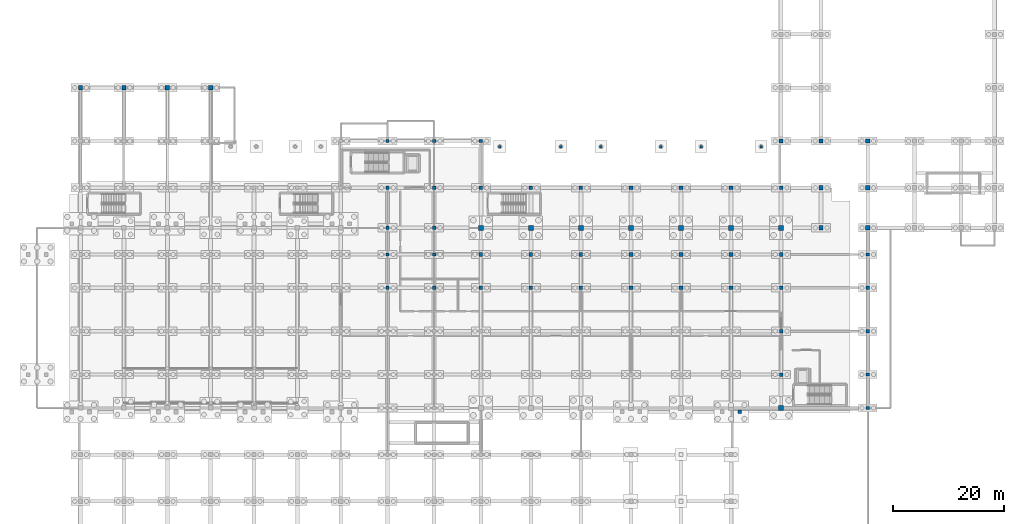
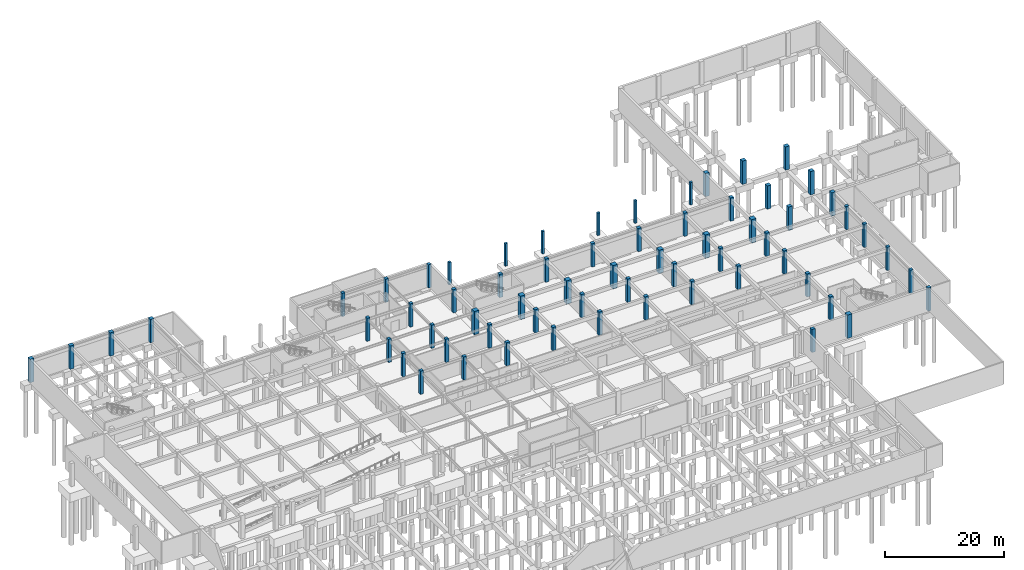
# One storey, part 11 of 26: 65 columns.
"""IFC4 building model written with IfcOpenShell, lengths in metres."""

from ifc_helpers import new_model, si_unit, direction, frame, origin, origin_2d, place, context, subcontext, project, spatial, rectangle, extrude, material, material_profile, profile_set, type_object, element, save


model = new_model("IFC4")

# Units and contexts
model_context = context("Model", 3, precision=1e-05, world=origin(), true_north=direction((0.0, 1.0)))
body_context = subcontext(model_context, "Body", "Model", "MODEL_VIEW")
ifc_project = project(units=[si_unit("LENGTHUNIT", "METRE"), si_unit("AREAUNIT", "SQUARE_METRE"), si_unit("VOLUMEUNIT", "CUBIC_METRE"), si_unit("PLANEANGLEUNIT", "RADIAN"), si_unit("MASSUNIT", "GRAM", prefix="KILO")], contexts=[model_context])

# Site, building, storey
site_placement = place(None, origin())
site = spatial("IfcSite", under=ifc_project, at=site_placement, CompositionType="ELEMENT")
building_placement = place(site_placement, origin())
building = spatial("IfcBuilding", under=site, at=building_placement, Name="Tizgana Railside Sports Hall", CompositionType="ELEMENT")
storey_placement = place(building_placement, frame((0.0, 0.0, -4.800048828125)))
storey = spatial("IfcBuildingStorey", under=building, at=storey_placement, Name="B1", CompositionType="ELEMENT", Elevation=-4.800048828125)

# Columns
ifc_material_1 = material(Name="Concrete C35/45", Category="concrete")
ifc_material_profile_1 = material_profile(ifc_material_1, rectangle(XDim=0.449951171875, YDim=0.449951171875, at=origin_2d()), Name="RC 450x450")
ifc_profile_set_1 = profile_set([ifc_material_profile_1], Name="Concrete C35/45")
column_type_1 = type_object("IfcColumnType", Name="Concrete Column RC 450x450", PredefinedType="COLUMN", material=ifc_profile_set_1)
for number, where, z_axis, x_axis, name in (
    (1, (83.199951171875, 87.800048828125, 0.0), (0.0, 0.0, 1.0), (1.0, 0.0, 0.0), "B1 COL-0931"),
    (2, (94.199951171875, 87.800048828125, 0.0), (0.0, 0.0, 1.0), (1.0, 0.0, 0.0), "B1 COL-0932"),
    (3, (101.39990234375, 87.800048828125, 0.0), (0.0, 0.0, 1.0), (1.0, 0.0, 0.0), "B1 COL-0933"),
    (4, (112.199951171875, 87.800048828125, 0.0), (0.0, 0.0, 1.0), (1.0, 0.0, 0.0), "B1 COL-0934"),
    (5, (119.39990234375, 87.800048828125, 0.0), (0.0, 0.0, 1.0), (1.0, 0.0, 0.0), "B1 COL-0935"),
    (6, (130.199951171875, 87.800048828125, 0.0), (0.0, 0.0, 1.0), (1.0, 0.0, 0.0), "B1 COL-0936"),
):
    element("IfcColumn", number, at=place(storey_placement, frame(where, z_axis=z_axis, x_axis=x_axis)), inside=storey, type_object=column_type_1, Name=name, PredefinedType="COLUMN", context=body_context, shape_type="SweptSolid", body=[
        extrude(rectangle(XDim=0.449951171875, YDim=0.449951171875, at=origin_2d()), origin(), (0.0, 0.0, 1.0), 4.630126953125),
    ])
ifc_material_2 = material(Name="Concrete C40/50", Category="concrete")
ifc_material_profile_2 = material_profile(ifc_material_2, rectangle(XDim=0.60009765625, YDim=0.60009765625, at=origin_2d()), Name="RC 600x600")
ifc_profile_set_2 = profile_set([ifc_material_profile_2], Name="Concrete C40/50")
column_type_2 = type_object("IfcColumnType", Name="Concrete Column RC 600x600", PredefinedType="COLUMN", material=ifc_profile_set_2)
for number, where, z_axis, x_axis, name in (
    (7, (63.0, 62.39990234375, 0.0), (0.0, 0.0, 1.0), (1.0, 0.0, 0.0), "B1 COL-0202"),
    (8, (63.0, 68.39990234375, 0.0), (0.0, 0.0, 1.0), (1.0, 0.0, 0.0), "B1 COL-0205"),
    (9, (63.0, 73.199951171875, 0.0), (0.0, 0.0, 1.0), (1.0, 0.0, 0.0), "B1 COL-0208"),
    (10, (63.0, 80.39990234375, 0.0), (0.0, 0.0, 1.0), (1.0, 0.0, 0.0), "B1 COL-0211"),
    (11, (63.0, 88.800048828125, 0.0), (0.0, 0.0, 1.0), (1.0, 0.0, 0.0), "B1 COL-0214"),
    (12, (71.39990234375, 62.39990234375, 0.0), (0.0, 0.0, 1.0), (1.0, 0.0, 0.0), "B1 COL-0229"),
    (13, (71.39990234375, 68.39990234375, 0.0), (0.0, 0.0, 1.0), (1.0, 0.0, 0.0), "B1 COL-0232"),
    (14, (71.39990234375, 73.199951171875, 0.0), (0.0, 0.0, 1.0), (1.0, 0.0, 0.0), "B1 COL-0235"),
    (15, (71.39990234375, 80.39990234375, 0.0), (0.0, 0.0, 1.0), (1.0, 0.0, 0.0), "B1 COL-0238"),
    (16, (71.39990234375, 88.800048828125, 0.0), (0.0, 0.0, 1.0), (1.0, 0.0, 0.0), "B1 COL-0241"),
    (17, (79.800048828125, 88.800048828125, 0.0), (0.0, 0.0, 1.0), (1.0, 0.0, 0.0), "B1 COL-0247"),
    (18, (149.39990234375, 40.800048828125, 0.0), (0.0, 0.0, 1.0), (1.0, 0.0, 0.0), "B1 COL-0906"),
    (19, (149.39990234375, 46.800048828125, 0.0), (0.0, 0.0, 1.0), (1.0, 0.0, 0.0), "B1 COL-0909"),
    (20, (149.39990234375, 54.60009765625, 0.0), (0.0, 0.0, 1.0), (1.0, 0.0, 0.0), "B1 COL-0912"),
    (21, (149.39990234375, 62.39990234375, 0.0), (0.0, 0.0, 1.0), (1.0, 0.0, 0.0), "B1 COL-0915"),
    (22, (149.39990234375, 68.39990234375, 0.0), (0.0, 0.0, 1.0), (1.0, 0.0, 0.0), "B1 COL-0918"),
):
    element("IfcColumn", number, at=place(storey_placement, frame(where, z_axis=z_axis, x_axis=x_axis)), inside=storey, type_object=column_type_2, Name=name, PredefinedType="COLUMN", context=body_context, shape_type="SweptSolid", body=[
        extrude(rectangle(XDim=0.60009765625, YDim=0.60009765625, at=origin_2d()), origin(), (0.0, 0.0, 1.0), 4.800048828125),
    ])
ifc_material_profile_3 = material_profile(ifc_material_2, rectangle(XDim=0.64990234375, YDim=0.64990234375, at=origin_2d()), Name="RC 650x650")
ifc_profile_set_3 = profile_set([ifc_material_profile_3], Name="Concrete C40/50")
column_type_3 = type_object("IfcColumnType", Name="Concrete Column RC 650x650", PredefinedType="COLUMN", material=ifc_profile_set_3)
for number, where, z_axis, x_axis, name in (
    (23, (79.800048828125, 62.39990234375, 0.0), (0.0, 0.0, 1.0), (1.0, 0.0, 0.0), "B1 COL-0262"),
    (24, (79.800048828125, 68.39990234375, 0.0), (0.0, 0.0, 1.0), (1.0, 0.0, 0.0), "B1 COL-0265"),
    (25, (79.800048828125, 80.39990234375, 0.0), (0.0, 0.0, 1.0), (1.0, 0.0, 0.0), "B1 COL-0274"),
    (26, (88.800048828125, 62.39990234375, 0.0), (0.0, 0.0, 1.0), (1.0, 0.0, 0.0), "B1 COL-0287"),
    (27, (88.800048828125, 68.39990234375, 0.0), (0.0, 0.0, 1.0), (1.0, 0.0, 0.0), "B1 COL-0288"),
    (28, (88.800048828125, 80.39990234375, 0.0), (0.0, 0.0, 1.0), (1.0, 0.0, 0.0), "B1 COL-0295"),
    (29, (97.800048828125, 62.39990234375, 0.0), (0.0, 0.0, 1.0), (1.0, 0.0, 0.0), "B1 COL-0308"),
    (30, (97.800048828125, 68.39990234375, 0.0), (0.0, 0.0, 1.0), (1.0, 0.0, 0.0), "B1 COL-0309"),
    (31, (97.800048828125, 80.39990234375, 0.0), (0.0, 0.0, 1.0), (1.0, 0.0, 0.0), "B1 COL-0316"),
    (32, (106.800048828125, 62.39990234375, 0.0), (0.0, 0.0, 1.0), (1.0, 0.0, 0.0), "B1 COL-0333"),
    (33, (106.800048828125, 68.39990234375, 0.0), (0.0, 0.0, 1.0), (1.0, 0.0, 0.0), "B1 COL-0334"),
    (34, (106.800048828125, 80.39990234375, 0.0), (0.0, 0.0, 1.0), (1.0, 0.0, 0.0), "B1 COL-0341"),
    (35, (115.800048828125, 62.39990234375, 0.0), (0.0, 0.0, 1.0), (1.0, 0.0, 0.0), "B1 COL-0354"),
    (36, (115.800048828125, 68.39990234375, 0.0), (0.0, 0.0, 1.0), (1.0, 0.0, 0.0), "B1 COL-0355"),
    (37, (115.800048828125, 80.39990234375, 0.0), (0.0, 0.0, 1.0), (1.0, 0.0, 0.0), "B1 COL-0362"),
):
    element("IfcColumn", number, at=place(storey_placement, frame(where, z_axis=z_axis, x_axis=x_axis)), inside=storey, type_object=column_type_3, Name=name, PredefinedType="COLUMN", context=body_context, shape_type="SweptSolid", body=[
        extrude(rectangle(XDim=0.64990234375, YDim=0.64990234375, at=origin_2d()), origin(), (0.0, 0.0, 1.0), 4.800048828125),
    ])
column_placement = place(storey_placement, frame((126.39501953125, 40.080078125, 0.0), z_axis=(0.0, 0.0, 1.0), x_axis=(1.0, 0.0, 0.0)))
element("IfcColumn", 38, at=column_placement, inside=storey, type_object=column_type_3, Name="B1 COL-0373", PredefinedType="COLUMN", context=body_context, shape_type="SweptSolid", body=[
    extrude(rectangle(XDim=0.64990234375, YDim=0.64990234375, at=origin_2d()), origin(), (0.0, 0.0, 1.0), 4.755126953125),
])
for number, where, z_axis, x_axis, name in (
    (39, (124.800048828125, 62.39990234375, 0.0), (0.0, 0.0, 1.0), (1.0, 0.0, 0.0), "B1 COL-0379"),
    (40, (124.800048828125, 68.39990234375, 0.0), (0.0, 0.0, 1.0), (1.0, 0.0, 0.0), "B1 COL-0380"),
    (41, (124.800048828125, 80.39990234375, 0.0), (0.0, 0.0, 1.0), (1.0, 0.0, 0.0), "B1 COL-0387"),
    (42, (133.800048828125, 46.800048828125, 0.0), (0.0, 0.0, 1.0), (1.0, 0.0, 0.0), "B1 COL-0398"),
    (43, (133.800048828125, 54.60009765625, 0.0), (0.0, 0.0, 1.0), (1.0, 0.0, 0.0), "B1 COL-0401"),
    (44, (133.800048828125, 62.39990234375, 0.0), (0.0, 0.0, 1.0), (1.0, 0.0, 0.0), "B1 COL-0404"),
    (45, (133.800048828125, 68.39990234375, 0.0), (0.0, 0.0, 1.0), (1.0, 0.0, 0.0), "B1 COL-0407"),
    (46, (133.800048828125, 80.39990234375, 0.0), (0.0, 0.0, 1.0), (1.0, 0.0, 0.0), "B1 COL-0416"),
):
    element("IfcColumn", number, at=place(storey_placement, frame(where, z_axis=z_axis, x_axis=x_axis)), inside=storey, type_object=column_type_3, Name=name, PredefinedType="COLUMN", context=body_context, shape_type="SweptSolid", body=[
        extrude(rectangle(XDim=0.64990234375, YDim=0.64990234375, at=origin_2d()), origin(), (0.0, 0.0, 1.0), 4.800048828125),
    ])
ifc_material_profile_4 = material_profile(ifc_material_2, rectangle(XDim=0.75, YDim=0.75, at=origin_2d()), Name="RC 750x750")
ifc_profile_set_4 = profile_set([ifc_material_profile_4], Name="Concrete C40/50")
column_type_4 = type_object("IfcColumnType", Name="Concrete Column RC 750x750", PredefinedType="COLUMN", material=ifc_profile_set_4)
for number, where, z_axis, x_axis, name in (
    (47, (133.800048828125, 88.800048828125, 0.0), (0.0, 0.0, 1.0), (1.0, 0.0, 0.0), "B1 COL-0421"),
    (48, (141.0, 73.199951171875, 0.0), (0.0, 0.0, 1.0), (1.0, 0.0, 0.0), "B1 COL-0437"),
    (49, (141.0, 80.39990234375, 0.0), (0.0, 0.0, 1.0), (1.0, 0.0, 0.0), "B1 COL-0441"),
    (50, (141.0, 88.800048828125, 0.0), (0.0, 0.0, 1.0), (1.0, 0.0, 0.0), "B1 COL-0445"),
    (51, (149.39990234375, 73.199951171875, 0.0), (0.0, 0.0, 1.0), (1.0, 0.0, 0.0), "B1 COL-0461"),
    (52, (149.39990234375, 80.39990234375, 0.0), (0.0, 0.0, 1.0), (1.0, 0.0, 0.0), "B1 COL-0465"),
    (53, (149.39990234375, 88.800048828125, 0.0), (0.0, 0.0, 1.0), (1.0, 0.0, 0.0), "B1 COL-0469"),
    (54, (7.800048828125, 98.39990234375, 0.0), (0.0, 0.0, 1.0), (1.0, 0.0, 0.0), "B1 COL-0874"),
    (55, (15.60009765625, 98.39990234375, 0.0), (0.0, 0.0, 1.0), (1.0, 0.0, 0.0), "B1 COL-0878"),
    (56, (23.39990234375, 98.39990234375, 0.0), (0.0, 0.0, 1.0), (1.0, 0.0, 0.0), "B1 COL-0882"),
    (57, (31.199951171875, 98.39990234375, 0.0), (0.0, 0.0, 1.0), (1.0, 0.0, 0.0), "B1 COL-0886"),
):
    element("IfcColumn", number, at=place(storey_placement, frame(where, z_axis=z_axis, x_axis=x_axis)), inside=storey, type_object=column_type_4, Name=name, PredefinedType="COLUMN", context=body_context, shape_type="SweptSolid", body=[
        extrude(rectangle(XDim=0.75, YDim=0.75, at=origin_2d()), origin(), (0.0, 0.0, 1.0), 4.800048828125),
    ])
ifc_material_profile_5 = material_profile(ifc_material_2, rectangle(XDim=0.89990234375, YDim=0.89990234375, at=origin_2d()), Name="RC 900x900")
ifc_profile_set_5 = profile_set([ifc_material_profile_5], Name="Concrete C40/50")
column_type_5 = type_object("IfcColumnType", Name="Concrete Column RC 900x900", PredefinedType="COLUMN", material=ifc_profile_set_5)
for number, where, z_axis, x_axis, name in (
    (58, (79.800048828125, 73.199951171875, 0.0), (0.0, 0.0, 1.0), (1.0, 0.0, 0.0), "B1 COL-0268"),
    (59, (88.800048828125, 73.199951171875, 0.0), (0.0, 0.0, 1.0), (1.0, 0.0, 0.0), "B1 COL-0289"),
    (60, (97.800048828125, 73.199951171875, 0.0), (0.0, 0.0, 1.0), (1.0, 0.0, 0.0), "B1 COL-0310"),
    (61, (106.800048828125, 73.199951171875, 0.0), (0.0, 0.0, 1.0), (1.0, 0.0, 0.0), "B1 COL-0335"),
    (62, (115.800048828125, 73.199951171875, 0.0), (0.0, 0.0, 1.0), (1.0, 0.0, 0.0), "B1 COL-0356"),
    (63, (124.800048828125, 73.199951171875, 0.0), (0.0, 0.0, 1.0), (1.0, 0.0, 0.0), "B1 COL-0381"),
    (64, (133.800048828125, 40.800048828125, 0.0), (0.0, 0.0, 1.0), (1.0, 0.0, 0.0), "B1 COL-0392"),
    (65, (133.800048828125, 73.199951171875, 0.0), (0.0, 0.0, 1.0), (1.0, 0.0, 0.0), "B1 COL-0410"),
):
    element("IfcColumn", number, at=place(storey_placement, frame(where, z_axis=z_axis, x_axis=x_axis)), inside=storey, type_object=column_type_5, Name=name, PredefinedType="COLUMN", context=body_context, shape_type="SweptSolid", body=[
        extrude(rectangle(XDim=0.89990234375, YDim=0.89990234375, at=origin_2d()), origin(), (0.0, 0.0, 1.0), 4.800048828125),
    ])

save(model, "model.ifc")
